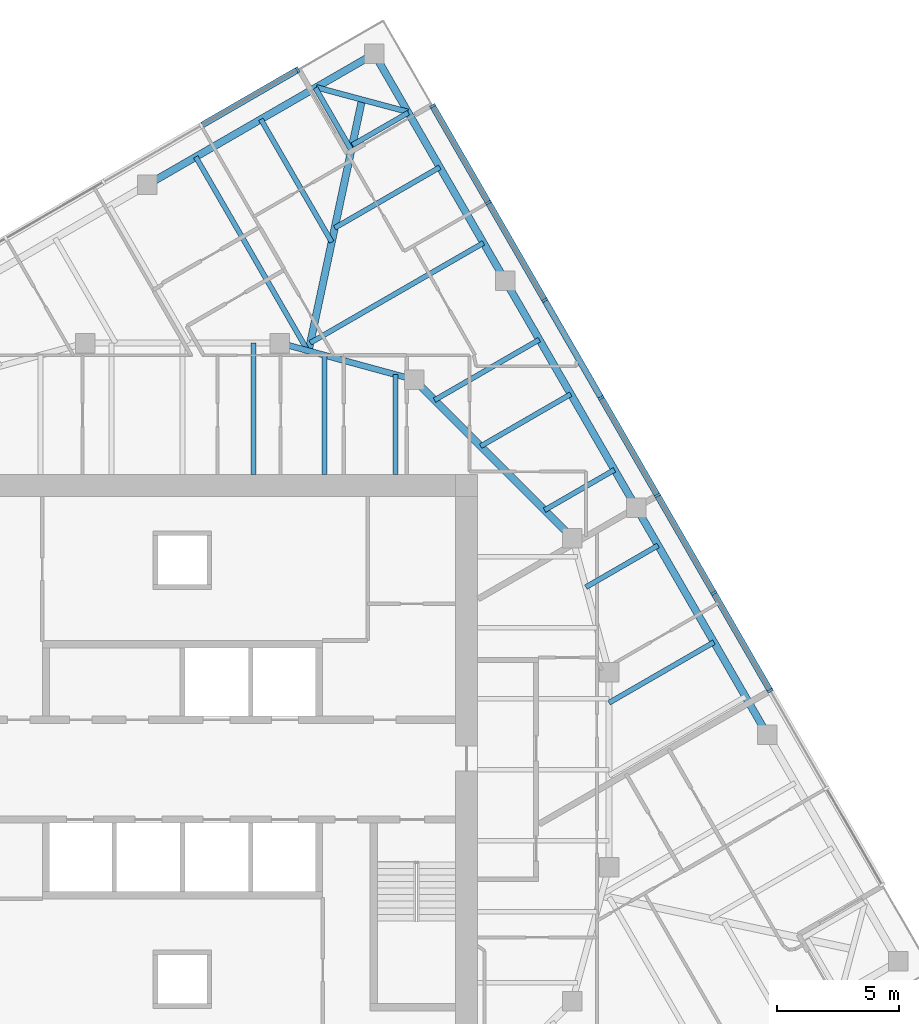
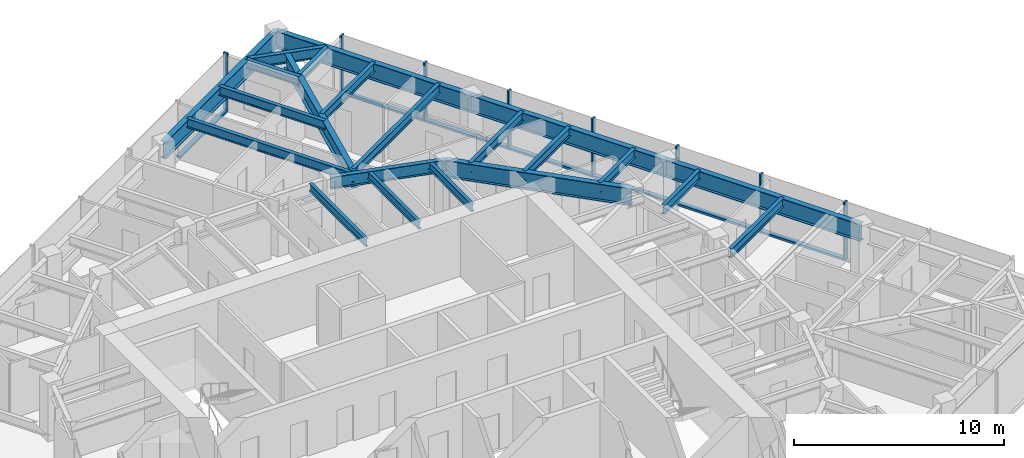
# One storey, part 5 of 13: 22 beams, 15 members, 2 elements without a shape of their own.
"""IFC4 building model written with IfcOpenShell, lengths in metres."""

from ifc_helpers import new_model, si_unit, direction, frame, origin, origin_2d, place, context, subcontext, project, spatial, rectangle, i_section, extrude, material, material_profile, profile_set, type_object, element, aggregate, save


model = new_model("IFC4")

# Units and contexts
model_context = context("Model", 3, precision=1e-05, world=origin(), true_north=direction((0.0, 1.0)))
body_context = subcontext(model_context, "Body", "Model", "MODEL_VIEW")
ifc_project = project(units=[si_unit("LENGTHUNIT", "METRE"), si_unit("AREAUNIT", "SQUARE_METRE"), si_unit("VOLUMEUNIT", "CUBIC_METRE"), si_unit("PLANEANGLEUNIT", "RADIAN"), si_unit("MASSUNIT", "GRAM", prefix="KILO")], contexts=[model_context])

# Site, building, storey
site_placement = place(None, origin())
site = spatial("IfcSite", under=ifc_project, at=site_placement, CompositionType="ELEMENT")
building_placement = place(site_placement, origin())
building = spatial("IfcBuilding", under=site, at=building_placement, Name="Torsade Residences", CompositionType="ELEMENT")
storey_placement = place(building_placement, frame((0.0, 0.0, 208.199951171875)))
storey = spatial("IfcBuildingStorey", under=building, at=storey_placement, Name="L57", CompositionType="ELEMENT", Elevation=208.199951171875)

# Beams
ifc_material_1 = material(Name="Steel grade 300", Category="steel")
ifc_material_profile_1 = material_profile(ifc_material_1, i_section(OverallWidth=0.300048828125, OverallDepth=0.89990234375, WebThickness=0.011962890625, FlangeThickness=0.02490234375, at=origin_2d()), Name="900WB175")
ifc_profile_set_1 = profile_set([ifc_material_profile_1], Name="Steel grade 300")
beam_type_1 = type_object("IfcBeamType", Name="CORNER GIRDER 900WB175", PredefinedType="BEAM", material=ifc_profile_set_1)
beam_1_placement = place(storey_placement, frame((47.3662109375, 57.4912109375, 2.800048828125), z_axis=(-0.20806427425, -0.978115155685, 0.0), x_axis=(0.978115155685, -0.20806427425, 0.0)))
element("IfcBeam", 1, at=beam_1_placement, inside=storey, type_object=beam_type_1, Name="Corner girder 09 L58", PredefinedType="BEAM", context=body_context, shape_type="SweptSolid", body=[
    extrude(i_section(OverallWidth=0.300048828125, OverallDepth=0.89990234375, WebThickness=0.011962890625, FlangeThickness=0.02490234375, at=origin_2d()), origin(), (0.0, 0.0, 1.0), 10.541748046875),
])
ifc_material_2 = material(Name="Steel grade 300", Category="steel")
ifc_material_profile_2 = material_profile(ifc_material_2, i_section(OverallWidth=0.22802734375, OverallDepth=0.60205078125, WebThickness=0.010498046875, FlangeThickness=0.014892578125, FilletRadius=0.013916015625, at=origin_2d()), Name="610UB101")
ifc_profile_set_2 = profile_set([ifc_material_profile_2], Name="Steel grade 300")
beam_type_2 = type_object("IfcBeamType", Name="CORNER TRIMMER 610UB101", PredefinedType="BEAM", material=ifc_profile_set_2)
beam_2_placement = place(storey_placement, frame((45.488037109375, 57.99462890625, 2.948974609375), z_axis=(0.965924794002, -0.258822897619, 0.0), x_axis=(0.258822897619, 0.965924794002, 0.0)))
element("IfcBeam", 2, at=beam_2_placement, inside=storey, type_object=beam_type_2, Name="Corner trimmer 09 L58", PredefinedType="BEAM", context=body_context, shape_type="SweptSolid", body=[
    extrude(i_section(OverallWidth=0.22802734375, OverallDepth=0.60205078125, WebThickness=0.010498046875, FlangeThickness=0.014892578125, FilletRadius=0.013916015625, at=origin_2d()), origin(), (0.0, 0.0, 1.0), 3.88916015625),
])
ifc_material_3 = material(Name="Steel grade 300", Category="steel")
ifc_material_profile_3 = material_profile(ifc_material_3, i_section(OverallWidth=0.300048828125, OverallDepth=1.0, WebThickness=0.01611328125, FlangeThickness=0.028076171875, at=origin_2d()), Name="1000WB215")
ifc_profile_set_3 = profile_set([ifc_material_profile_3], Name="Steel grade 300")
beam_type_3 = type_object("IfcBeamType", Name="EDGE BEAM 1000WB215", PredefinedType="SPANDREL", material=ifc_profile_set_3)
for number, where, z_axis, x_axis, name in (
    (3, (63.99462890625, 31.440185546875, 2.75), (-0.499998333915, 0.866026365697, 0.0), (-0.866026365697, -0.499998333915, 0.0), "Edge beam 06 L58"),
    (4, (58.61962890625, 40.75, 2.75), (-0.499998333915, 0.866026365697, 0.0), (-0.866026365697, -0.499998333915, 0.0), "Edge beam 07 L58"),
    (5, (53.24462890625, 50.059814453125, 2.75), (-0.499998333915, 0.866026365697, 0.0), (-0.866026365697, -0.499998333915, 0.0), "Edge beam 08 L58"),
    (6, (47.86962890625, 59.36962890625, 2.75), (-0.866026365697, -0.499998333915, 0.0), (0.499998333915, -0.866026365697, 0.0), "Edge beam 09 L58"),
):
    element("IfcBeam", number, at=place(storey_placement, frame(where, z_axis=z_axis, x_axis=x_axis)), inside=storey, type_object=beam_type_3, Name=name, PredefinedType="SPANDREL", context=body_context, shape_type="SweptSolid", body=[
        extrude(i_section(OverallWidth=0.300048828125, OverallDepth=1.0, WebThickness=0.01611328125, FlangeThickness=0.028076171875, at=origin_2d()), origin(), (0.0, 0.0, 1.0), 10.75),
    ])

# Curtain wall, members
ifc_material_4 = material(Name="Aluminium and glass", Category="aluminium")
curtain_wall_type = type_object("IfcCurtainWallType", Name="FRITTED GLASS CURTAIN WALL HIGH ZONE", PredefinedType="NOTDEFINED", material=ifc_material_4)
curtain_wall_1_placement = place(storey_placement, origin())
curtain_wall_1 = element("IfcCurtainWall", 7, at=curtain_wall_1_placement, inside=storey, type_object=curtain_wall_type, Name="Curtain wall L57 face 4", PredefinedType="NOTDEFINED")
ifc_material_5 = material(Name="Aluminium mullion", Category="aluminium")
ifc_material_profile_4 = material_profile(ifc_material_5, rectangle(XDim=0.25, YDim=0.10009765625, at=origin_2d()), Name="HIGH ZONE CURTAIN WALL MULLION 250x100")
ifc_profile_set_4 = profile_set([ifc_material_profile_4], Name="Aluminium mullion")
member_type_1 = type_object("IfcMemberType", Name="HIGH ZONE CURTAIN WALL MULLION 250x100", PredefinedType="MULLION", material=ifc_profile_set_4)
member_1_placement = place(storey_placement, frame((64.110595703125, 33.2392578125, 0.0), z_axis=(0.0, 0.0, 1.0), x_axis=(-0.866025404186, -0.499999999305, 0.0)))
member_1 = element("IfcMember", 8, at=member_1_placement, type_object=member_type_1, Name="Mullion 3", PredefinedType="MULLION", context=body_context, shape_type="SweptSolid", body=[
    extrude(rectangle(XDim=0.25, YDim=0.10009765625, at=origin_2d()), origin(), (0.0, 0.0, 1.0), 3.400146484375),
])
member_2_placement = place(storey_placement, frame((61.798095703125, 37.24462890625, 0.0), z_axis=(0.0, 0.0, 1.0), x_axis=(-0.866025404186, -0.499999999305, 0.0)))
member_2 = element("IfcMember", 9, at=member_2_placement, type_object=member_type_1, Name="Mullion 4", PredefinedType="MULLION", context=body_context, shape_type="SweptSolid", body=[
    extrude(rectangle(XDim=0.25, YDim=0.10009765625, at=origin_2d()), origin(), (0.0, 0.0, 1.0), 3.400146484375),
])
member_3_placement = place(storey_placement, frame((59.485595703125, 41.25, 0.0), z_axis=(0.0, 0.0, 1.0), x_axis=(-0.866025404186, -0.499999999305, 0.0)))
member_3 = element("IfcMember", 10, at=member_3_placement, type_object=member_type_1, Name="Mullion 5", PredefinedType="MULLION", context=body_context, shape_type="SweptSolid", body=[
    extrude(rectangle(XDim=0.25, YDim=0.10009765625, at=origin_2d()), origin(), (0.0, 0.0, 1.0), 3.400146484375),
])
member_4_placement = place(storey_placement, frame((57.173095703125, 45.25537109375, 0.0), z_axis=(0.0, 0.0, 1.0), x_axis=(-0.866025404186, -0.499999999305, 0.0)))
member_4 = element("IfcMember", 11, at=member_4_placement, type_object=member_type_1, Name="Mullion 6", PredefinedType="MULLION", context=body_context, shape_type="SweptSolid", body=[
    extrude(rectangle(XDim=0.25, YDim=0.10009765625, at=origin_2d()), origin(), (0.0, 0.0, 1.0), 3.400146484375),
])
member_5_placement = place(storey_placement, frame((54.860595703125, 49.2607421875, 0.0), z_axis=(0.0, 0.0, 1.0), x_axis=(-0.866025404186, -0.499999999305, 0.0)))
member_5 = element("IfcMember", 12, at=member_5_placement, type_object=member_type_1, Name="Mullion 7", PredefinedType="MULLION", context=body_context, shape_type="SweptSolid", body=[
    extrude(rectangle(XDim=0.25, YDim=0.10009765625, at=origin_2d()), origin(), (0.0, 0.0, 1.0), 3.400146484375),
])
member_6_placement = place(storey_placement, frame((52.548095703125, 53.26611328125, 0.0), z_axis=(0.0, 0.0, 1.0), x_axis=(-0.866025404186, -0.499999999305, 0.0)))
member_6 = element("IfcMember", 13, at=member_6_placement, type_object=member_type_1, Name="Mullion 8", PredefinedType="MULLION", context=body_context, shape_type="SweptSolid", body=[
    extrude(rectangle(XDim=0.25, YDim=0.10009765625, at=origin_2d()), origin(), (0.0, 0.0, 1.0), 3.400146484375),
])
member_7_placement = place(storey_placement, frame((50.260498046875, 57.228271484375, 0.0), z_axis=(0.0, 0.0, 1.0), x_axis=(-0.866025404186, -0.499999999305, 0.0)))
member_7 = element("IfcMember", 14, at=member_7_placement, type_object=member_type_1, Name="Mullion 9", PredefinedType="MULLION", context=body_context, shape_type="SweptSolid", body=[
    extrude(rectangle(XDim=0.25, YDim=0.10009765625, at=origin_2d()), origin(), (0.0, 0.0, 1.0), 3.400146484375),
])

# Curtain wall, member
curtain_wall_2_placement = place(storey_placement, origin())
curtain_wall_2 = element("IfcCurtainWall", 15, at=curtain_wall_2_placement, inside=storey, type_object=curtain_wall_type, Name="Curtain wall L57 face 7", PredefinedType="NOTDEFINED")
member_8_placement = place(storey_placement, frame((44.728271484375, 58.710693359375, 0.0), z_axis=(0.0, 0.0, 1.0), x_axis=(0.499999999305, -0.866025404186, 0.0)))
member_8 = element("IfcMember", 16, at=member_8_placement, type_object=member_type_1, Name="Mullion 1", PredefinedType="MULLION", context=body_context, shape_type="SweptSolid", body=[
    extrude(rectangle(XDim=0.25, YDim=0.10009765625, at=origin_2d()), origin(), (0.0, 0.0, 1.0), 3.400146484375),
])

# Member
ifc_material_6 = material(Name="Aluminium transom", Category="aluminium")
ifc_material_profile_5 = material_profile(ifc_material_6, rectangle(XDim=0.25, YDim=0.1201171875, at=origin_2d()), Name="HIGH ZONE CURTAIN WALL TRANSOM 250x120")
ifc_profile_set_5 = profile_set([ifc_material_profile_5], Name="Aluminium transom")
member_type_2 = type_object("IfcMemberType", Name="HIGH ZONE CURTAIN WALL TRANSOM 250x120", PredefinedType="USERDEFINED", material=ifc_profile_set_5)
member_9_placement = place(storey_placement, frame((64.085693359375, 33.282470703125, 0.06005859375), z_axis=(-0.500015112013, 0.866016678684, 0.0), x_axis=(-0.866016678684, -0.500015112013, 0.0)))
member_9 = element("IfcMember", 17, at=member_9_placement, type_object=member_type_2, Name="Transom 3.1", ObjectType="TRANSOM", PredefinedType="USERDEFINED", context=body_context, shape_type="SweptSolid", body=[
    extrude(rectangle(XDim=0.25, YDim=0.1201171875, at=origin_2d()), origin(), (0.0, 0.0, 1.0), 4.525146484375),
])

member_10_placement = place(storey_placement, frame((61.773193359375, 37.287841796875, 0.06005859375), z_axis=(-0.500015112013, 0.866016678684, 0.0), x_axis=(-0.866016678684, -0.500015112013, 0.0)))
member_10 = element("IfcMember", 18, at=member_10_placement, type_object=member_type_2, Name="Transom 4.1", ObjectType="TRANSOM", PredefinedType="USERDEFINED", context=body_context, shape_type="SweptSolid", body=[
    extrude(rectangle(XDim=0.25, YDim=0.1201171875, at=origin_2d()), origin(), (0.0, 0.0, 1.0), 4.525146484375),
])

member_11_placement = place(storey_placement, frame((59.460693359375, 41.293212890625, 0.06005859375), z_axis=(-0.500015112013, 0.866016678684, 0.0), x_axis=(-0.866016678684, -0.500015112013, 0.0)))
member_11 = element("IfcMember", 19, at=member_11_placement, type_object=member_type_2, Name="Transom 5.1", ObjectType="TRANSOM", PredefinedType="USERDEFINED", context=body_context, shape_type="SweptSolid", body=[
    extrude(rectangle(XDim=0.25, YDim=0.1201171875, at=origin_2d()), origin(), (0.0, 0.0, 1.0), 4.525146484375),
])

member_12_placement = place(storey_placement, frame((57.148193359375, 45.298583984375, 0.06005859375), z_axis=(-0.500015112013, 0.866016678684, 0.0), x_axis=(-0.866016678684, -0.500015112013, 0.0)))
member_12 = element("IfcMember", 20, at=member_12_placement, type_object=member_type_2, Name="Transom 6.1", ObjectType="TRANSOM", PredefinedType="USERDEFINED", context=body_context, shape_type="SweptSolid", body=[
    extrude(rectangle(XDim=0.25, YDim=0.1201171875, at=origin_2d()), origin(), (0.0, 0.0, 1.0), 4.525146484375),
])

member_13_placement = place(storey_placement, frame((54.835693359375, 49.303955078125, 0.06005859375), z_axis=(-0.500015112013, 0.866016678684, 0.0), x_axis=(-0.866016678684, -0.500015112013, 0.0)))
member_13 = element("IfcMember", 21, at=member_13_placement, type_object=member_type_2, Name="Transom 7.1", ObjectType="TRANSOM", PredefinedType="USERDEFINED", context=body_context, shape_type="SweptSolid", body=[
    extrude(rectangle(XDim=0.25, YDim=0.1201171875, at=origin_2d()), origin(), (0.0, 0.0, 1.0), 4.525146484375),
])

member_14_placement = place(storey_placement, frame((52.523193359375, 53.309326171875, 0.06005859375), z_axis=(-0.50000580312, 0.866022053326, 0.0), x_axis=(-0.866022053326, -0.50000580312, 0.0)))
member_14 = element("IfcMember", 22, at=member_14_placement, type_object=member_type_2, Name="Transom 8.1", ObjectType="TRANSOM", PredefinedType="USERDEFINED", context=body_context, shape_type="SweptSolid", body=[
    extrude(rectangle(XDim=0.25, YDim=0.1201171875, at=origin_2d()), origin(), (0.0, 0.0, 1.0), 4.47509765625),
])

aggregate(curtain_wall_1, [member_1, member_2, member_3, member_4, member_5, member_6, member_7, member_9, member_10, member_11, member_12, member_13, member_14])

member_15_placement = place(storey_placement, frame((44.684814453125, 58.685546875, 0.06005859375), z_axis=(-0.866022053326, -0.50000580312, 0.0), x_axis=(0.50000580312, -0.866022053326, 0.0)))
member_15 = element("IfcMember", 23, at=member_15_placement, type_object=member_type_2, Name="Transom 1.1", ObjectType="TRANSOM", PredefinedType="USERDEFINED", context=body_context, shape_type="SweptSolid", body=[
    extrude(rectangle(XDim=0.25, YDim=0.1201171875, at=origin_2d()), origin(), (0.0, 0.0, 1.0), 4.47509765625),
])

aggregate(curtain_wall_2, [member_8, member_15])

# Beams
ifc_material_7 = material(Name="Steel grade 300", Category="steel")
ifc_material_profile_6 = material_profile(ifc_material_7, i_section(OverallWidth=0.18994140625, OverallDepth=0.4541015625, WebThickness=0.008544921875, FlangeThickness=0.0126953125, FilletRadius=0.011474609375, at=origin_2d()), Name="460UB67.1")
ifc_profile_set_6 = profile_set([ifc_material_profile_6], Name="Steel grade 300")
beam_type_4 = type_object("IfcBeamType", Name="INNER FLOOR BEAM 460UB67.1", PredefinedType="JOIST", material=ifc_profile_set_6)
beam_3_placement = place(storey_placement, frame((42.91259765625, 42.10009765625, 3.02294921875), z_axis=(0.0, 1.0, 0.0), x_axis=(-1.0, 0.0, 0.0)))
element("IfcBeam", 24, at=beam_3_placement, inside=storey, type_object=beam_type_4, Name="Inner floor beam IN05 L58", PredefinedType="JOIST", context=body_context, shape_type="SweptSolid", body=[
    extrude(i_section(OverallWidth=0.18994140625, OverallDepth=0.4541015625, WebThickness=0.008544921875, FlangeThickness=0.0126953125, FilletRadius=0.011474609375, at=origin_2d()), origin(), (0.0, 0.0, 1.0), 5.39990234375),
])
beam_4_placement = place(storey_placement, frame((45.824951171875, 42.10009765625, 3.02294921875), z_axis=(0.0, 1.0, 0.0), x_axis=(-1.0, 0.0, 0.0)))
element("IfcBeam", 25, at=beam_4_placement, inside=storey, type_object=beam_type_4, Name="Inner floor beam IN06 L58", PredefinedType="JOIST", context=body_context, shape_type="SweptSolid", body=[
    extrude(i_section(OverallWidth=0.18994140625, OverallDepth=0.4541015625, WebThickness=0.008544921875, FlangeThickness=0.0126953125, FilletRadius=0.011474609375, at=origin_2d()), origin(), (0.0, 0.0, 1.0), 4.902099609375),
])
beam_5_placement = place(storey_placement, frame((48.737548828125, 42.10009765625, 3.02294921875), z_axis=(0.0, 1.0, 0.0), x_axis=(-1.0, 0.0, 0.0)))
element("IfcBeam", 26, at=beam_5_placement, inside=storey, type_object=beam_type_4, Name="Inner floor beam IN07 L58", PredefinedType="JOIST", context=body_context, shape_type="SweptSolid", body=[
    extrude(i_section(OverallWidth=0.18994140625, OverallDepth=0.4541015625, WebThickness=0.008544921875, FlangeThickness=0.0126953125, FilletRadius=0.011474609375, at=origin_2d()), origin(), (0.0, 0.0, 1.0), 4.10791015625),
])
ifc_material_8 = material(Name="Steel grade 300", Category="steel")
ifc_material_profile_7 = material_profile(ifc_material_8, i_section(OverallWidth=0.300048828125, OverallDepth=1.0, WebThickness=0.01611328125, FlangeThickness=0.028076171875, at=origin_2d()), Name="1000WB215")
ifc_profile_set_7 = profile_set([ifc_material_profile_7], Name="Steel grade 300")
beam_type_5 = type_object("IfcBeamType", Name="RING CORNER GIRDER 1000WB215", PredefinedType="BEAM", material=ifc_profile_set_7)
beam_6_placement = place(storey_placement, frame((56.0, 39.5, 2.75), z_axis=(-0.707106781187, 0.707106781187, 0.0), x_axis=(-0.707106781187, -0.707106781187, 0.0)))
element("IfcBeam", 27, at=beam_6_placement, inside=storey, type_object=beam_type_5, Name="Ring girder IR03 L58", PredefinedType="BEAM", context=body_context, shape_type="SweptSolid", body=[
    extrude(i_section(OverallWidth=0.300048828125, OverallDepth=1.0, WebThickness=0.01611328125, FlangeThickness=0.028076171875, at=origin_2d()), origin(), (0.0, 0.0, 1.0), 9.1923828125),
])
ifc_material_9 = material(Name="Steel grade 300", Category="steel")
ifc_material_profile_8 = material_profile(ifc_material_9, i_section(OverallWidth=0.25, OverallDepth=0.699951171875, WebThickness=0.010009765625, FlangeThickness=0.02001953125, at=origin_2d()), Name="700WB130")
ifc_profile_set_8 = profile_set([ifc_material_profile_8], Name="Steel grade 300")
beam_type_6 = type_object("IfcBeamType", Name="RING GIRDER 700WB130", PredefinedType="BEAM", material=ifc_profile_set_8)
beam_7_placement = place(storey_placement, frame((49.5, 46.0, 2.900146484375), z_axis=(-0.964763821238, 0.263117405792, 0.0), x_axis=(-0.263117405792, -0.964763821238, 0.0)))
element("IfcBeam", 28, at=beam_7_placement, inside=storey, type_object=beam_type_6, Name="Ring girder IR04 L58", PredefinedType="BEAM", context=body_context, shape_type="SweptSolid", body=[
    extrude(i_section(OverallWidth=0.25, OverallDepth=0.699951171875, WebThickness=0.010009765625, FlangeThickness=0.02001953125, at=origin_2d()), origin(), (0.0, 0.0, 1.0), 5.700927734375),
])
ifc_material_10 = material(Name="Steel grade 300", Category="steel")
ifc_material_profile_9 = material_profile(ifc_material_10, i_section(OverallWidth=0.208984375, OverallDepth=0.528076171875, WebThickness=0.009521484375, FlangeThickness=0.01318359375, FilletRadius=0.013916015625, at=origin_2d()), Name="530UB82.0")
ifc_profile_set_9 = profile_set([ifc_material_profile_9], Name="Steel grade 300")
beam_type_7 = type_object("IfcBeamType", Name="SECONDARY BEAM 530UB82.0", PredefinedType="JOIST", material=ifc_profile_set_9)
beam_8_placement = place(storey_placement, frame((61.80712890625, 35.22900390625, 2.986083984375), z_axis=(-0.866038443216, -0.499977414361, 0.0), x_axis=(0.499977414361, -0.866038443216, 0.0)))
element("IfcBeam", 29, at=beam_8_placement, inside=storey, type_object=beam_type_7, Name="Floor beam FE05 L58", PredefinedType="JOIST", context=body_context, shape_type="SweptSolid", body=[
    extrude(i_section(OverallWidth=0.208984375, OverallDepth=0.528076171875, WebThickness=0.009521484375, FlangeThickness=0.01318359375, FilletRadius=0.013916015625, at=origin_2d()), origin(), (0.0, 0.0, 1.0), 4.973388671875),
])
beam_9_placement = place(storey_placement, frame((59.515380859375, 39.198486328125, 2.986083984375), z_axis=(-0.866001587311, -0.500041249073, 0.0), x_axis=(0.500041249073, -0.866001587311, 0.0)))
element("IfcBeam", 30, at=beam_9_placement, inside=storey, type_object=beam_type_7, Name="Floor beam FE06 L58", PredefinedType="JOIST", context=body_context, shape_type="SweptSolid", body=[
    extrude(i_section(OverallWidth=0.208984375, OverallDepth=0.528076171875, WebThickness=0.009521484375, FlangeThickness=0.01318359375, FilletRadius=0.013916015625, at=origin_2d()), origin(), (0.0, 0.0, 1.0), 3.425048828125),
])
beam_10_placement = place(storey_placement, frame((57.7236328125, 42.301513671875, 2.986083984375), z_axis=(-0.866039541186, -0.499975512502, 0.0), x_axis=(0.499975512502, -0.866039541186, 0.0)))
element("IfcBeam", 31, at=beam_10_placement, inside=storey, type_object=beam_type_7, Name="Floor beam FE07 L58", PredefinedType="JOIST", context=body_context, shape_type="SweptSolid", body=[
    extrude(i_section(OverallWidth=0.208984375, OverallDepth=0.528076171875, WebThickness=0.009521484375, FlangeThickness=0.01318359375, FilletRadius=0.013916015625, at=origin_2d()), origin(), (0.0, 0.0, 1.0), 3.312744140625),
])
beam_11_placement = place(storey_placement, frame((55.93212890625, 45.40478515625, 2.986083984375), z_axis=(-0.866022880939, -0.500004369671, 0.0), x_axis=(0.500004369671, -0.866022880939, 0.0)))
element("IfcBeam", 32, at=beam_11_placement, inside=storey, type_object=beam_type_7, Name="Floor beam FE08 L58", PredefinedType="JOIST", context=body_context, shape_type="SweptSolid", body=[
    extrude(i_section(OverallWidth=0.208984375, OverallDepth=0.528076171875, WebThickness=0.009521484375, FlangeThickness=0.01318359375, FilletRadius=0.013916015625, at=origin_2d()), origin(), (0.0, 0.0, 1.0), 4.27294921875),
])
beam_12_placement = place(storey_placement, frame((54.640380859375, 47.64208984375, 2.986083984375), z_axis=(-0.866043933037, -0.49996790502, 0.0), x_axis=(0.49996790502, -0.866043933037, 0.0)))
element("IfcBeam", 33, at=beam_12_placement, inside=storey, type_object=beam_type_7, Name="Floor beam FE09 L58", PredefinedType="JOIST", context=body_context, shape_type="SweptSolid", body=[
    extrude(i_section(OverallWidth=0.208984375, OverallDepth=0.528076171875, WebThickness=0.009521484375, FlangeThickness=0.01318359375, FilletRadius=0.013916015625, at=origin_2d()), origin(), (0.0, 0.0, 1.0), 4.965087890625),
])
beam_13_placement = place(storey_placement, frame((52.3486328125, 51.611328125, 2.986083984375), z_axis=(-0.866030002502, -0.499992034702, 0.0), x_axis=(0.499992034702, -0.866030002502, 0.0)))
element("IfcBeam", 34, at=beam_13_placement, inside=storey, type_object=beam_type_7, Name="Floor beam FE10 L58", PredefinedType="JOIST", context=body_context, shape_type="SweptSolid", body=[
    extrude(i_section(OverallWidth=0.208984375, OverallDepth=0.528076171875, WebThickness=0.009521484375, FlangeThickness=0.01318359375, FilletRadius=0.013916015625, at=origin_2d()), origin(), (0.0, 0.0, 1.0), 8.205322265625),
])
beam_14_placement = place(storey_placement, frame((50.55712890625, 54.714599609375, 2.986083984375), z_axis=(-0.866043477274, -0.499968694491, 0.0), x_axis=(0.499968694491, -0.866043477274, 0.0)))
element("IfcBeam", 35, at=beam_14_placement, inside=storey, type_object=beam_type_7, Name="Floor beam FE11 L58", PredefinedType="JOIST", context=body_context, shape_type="SweptSolid", body=[
    extrude(i_section(OverallWidth=0.208984375, OverallDepth=0.528076171875, WebThickness=0.009521484375, FlangeThickness=0.01318359375, FilletRadius=0.013916015625, at=origin_2d()), origin(), (0.0, 0.0, 1.0), 4.977783203125),
])
beam_15_placement = place(storey_placement, frame((49.265380859375, 56.951904296875, 2.986083984375), z_axis=(-0.866041431316, -0.499972238474, 0.0), x_axis=(0.499972238474, -0.866041431316, 0.0)))
element("IfcBeam", 36, at=beam_15_placement, inside=storey, type_object=beam_type_7, Name="Floor beam FE12 L58", PredefinedType="JOIST", context=body_context, shape_type="SweptSolid", body=[
    extrude(i_section(OverallWidth=0.208984375, OverallDepth=0.528076171875, WebThickness=0.009521484375, FlangeThickness=0.01318359375, FilletRadius=0.013916015625, at=origin_2d()), origin(), (0.0, 0.0, 1.0), 2.651123046875),
])
beam_16_placement = place(storey_placement, frame((45.451904296875, 57.9736328125, 2.986083984375), z_axis=(0.500014013, -0.866017313224, 0.0), x_axis=(0.866017313224, 0.500014013, 0.0)))
element("IfcBeam", 37, at=beam_16_placement, inside=storey, type_object=beam_type_7, Name="Floor beam FN01 L58", PredefinedType="JOIST", context=body_context, shape_type="SweptSolid", body=[
    extrude(i_section(OverallWidth=0.208984375, OverallDepth=0.528076171875, WebThickness=0.009521484375, FlangeThickness=0.01318359375, FilletRadius=0.013916015625, at=origin_2d()), origin(), (0.0, 0.0, 1.0), 2.94775390625),
])
beam_17_placement = place(storey_placement, frame((43.214599609375, 56.68212890625, 2.986083984375), z_axis=(0.499990133118, -0.866031100357, 0.0), x_axis=(0.866031100357, 0.499990133118, 0.0)))
element("IfcBeam", 38, at=beam_17_placement, inside=storey, type_object=beam_type_7, Name="Floor beam FN02 L58", PredefinedType="JOIST", context=body_context, shape_type="SweptSolid", body=[
    extrude(i_section(OverallWidth=0.208984375, OverallDepth=0.528076171875, WebThickness=0.009521484375, FlangeThickness=0.01318359375, FilletRadius=0.013916015625, at=origin_2d()), origin(), (0.0, 0.0, 1.0), 5.81591796875),
])
beam_18_placement = place(storey_placement, frame((40.54443359375, 55.140380859375, 2.986083984375), z_axis=(0.500006393711, -0.866021712342, 0.0), x_axis=(0.866021712342, 0.500006393711, 0.0)))
element("IfcBeam", 39, at=beam_18_placement, inside=storey, type_object=beam_type_7, Name="Floor beam FN03 L58", PredefinedType="JOIST", context=body_context, shape_type="SweptSolid", body=[
    extrude(i_section(OverallWidth=0.208984375, OverallDepth=0.528076171875, WebThickness=0.009521484375, FlangeThickness=0.01318359375, FilletRadius=0.013916015625, at=origin_2d()), origin(), (0.0, 0.0, 1.0), 9.1796875),
])

save(model, "model.ifc")
